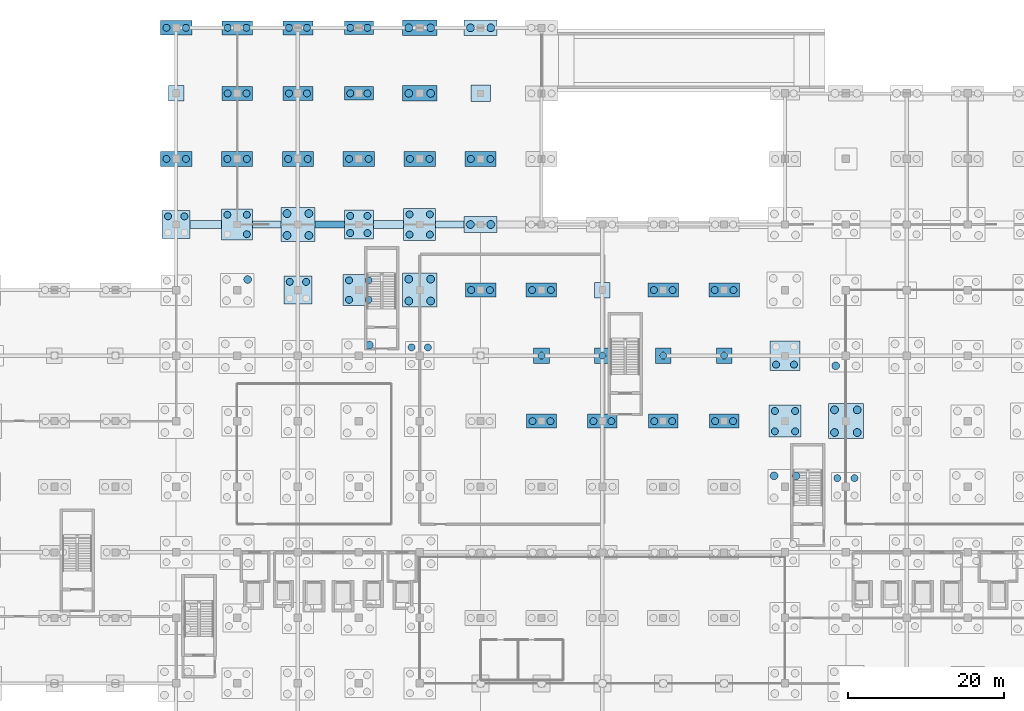
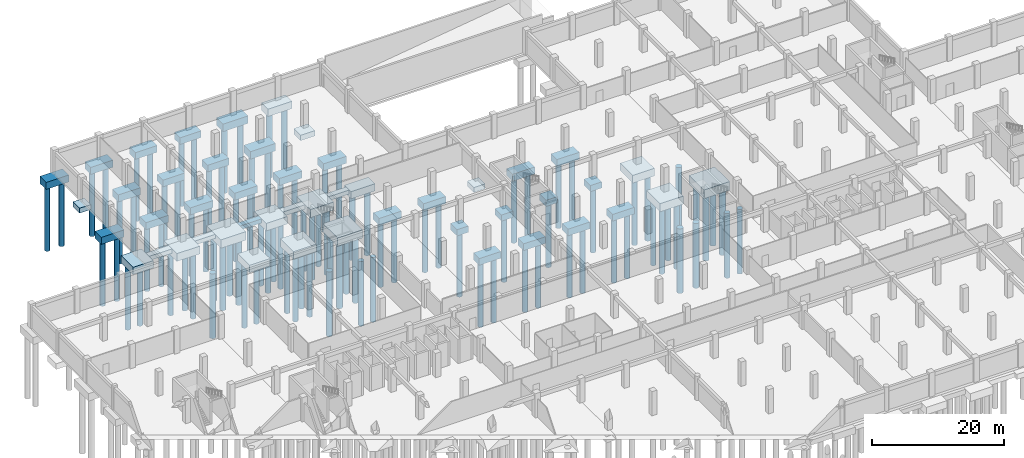
# One storey, part 5 of 30: 100 piles, 48 footings.
"""IFC4 building model written with IfcOpenShell, lengths in metres."""

from ifc_helpers import new_model, si_unit, direction, frame, origin, origin_2d, place, context, subcontext, project, spatial, rectangle, circle, extrude, material, layer, layer_set, material_profile, profile_set, type_object, element, save


model = new_model("IFC4")

# Units and contexts
model_context = context("Model", 3, precision=1e-05, world=origin(), true_north=direction((0.0, 1.0)))
body_context = subcontext(model_context, "Body", "Model", "MODEL_VIEW")
ifc_project = project(units=[si_unit("LENGTHUNIT", "METRE"), si_unit("AREAUNIT", "SQUARE_METRE"), si_unit("VOLUMEUNIT", "CUBIC_METRE"), si_unit("PLANEANGLEUNIT", "RADIAN"), si_unit("MASSUNIT", "GRAM", prefix="KILO"), si_unit("THERMODYNAMICTEMPERATUREUNIT", "KELVIN"), si_unit("POWERUNIT", "WATT")], contexts=[model_context])

# Site, building, storey
site_placement = place(None, origin())
site = spatial("IfcSite", under=ifc_project, at=site_placement, CompositionType="ELEMENT")
building_placement = place(site_placement, origin())
building = spatial("IfcBuilding", under=site, at=building_placement, Name="Srebrne Nadtorze General Hospital", CompositionType="ELEMENT")
storey_placement = place(building_placement, frame((0.0, 0.0, -4.5)))
storey = spatial("IfcBuildingStorey", under=building, at=storey_placement, Name="B1", CompositionType="ELEMENT", Elevation=-4.5)

# Piles
ifc_material_1 = material(Name="Concrete C35/45", Category="concrete")
ifc_material_profile_1 = material_profile(ifc_material_1, circle(Radius=0.5, at=origin_2d()), Name="PILE-D1000")
ifc_profile_set_1 = profile_set([ifc_material_profile_1], Name="Concrete C35/45")
pile_type_1 = type_object("IfcPileType", Name="Bored concrete pile D1000", PredefinedType="BORED", material=ifc_profile_set_1)
for number, where, z_axis, x_axis, name in (
    (1, (32.550048828125, 85.35009765625, -2.14990234375), (0.0, 0.0, -1.0), (1.0, 0.0, 0.0), "Bored pile PL-B1-0129"),
    (2, (37.60009765625, 91.0, -2.14990234375), (0.0, 0.0, -1.0), (1.0, 0.0, 0.0), "Bored pile PL-B1-0185"),
    (3, (40.39990234375, 91.0, -2.14990234375), (0.0, 0.0, -1.0), (1.0, 0.0, 0.0), "Bored pile PL-B1-0186"),
    (4, (40.39990234375, 93.800048828125, -2.14990234375), (0.0, 0.0, -1.0), (1.0, 0.0, 0.0), "Bored pile PL-B1-0187"),
    (5, (37.60009765625, 93.800048828125, -2.14990234375), (0.0, 0.0, -1.0), (1.0, 0.0, 0.0), "Bored pile PL-B1-0188"),
    (6, (48.14990234375, 76.949951171875, -2.14990234375), (0.0, 0.0, -1.0), (1.0, 0.0, 0.0), "Bored pile PL-B1-0229"),
    (7, (53.199951171875, 82.60009765625, -2.14990234375), (0.0, 0.0, -1.0), (1.0, 0.0, 0.0), "Bored pile PL-B1-0285"),
    (8, (56.0, 82.60009765625, -2.14990234375), (0.0, 0.0, -1.0), (1.0, 0.0, 0.0), "Bored pile PL-B1-0286"),
    (9, (56.0, 85.39990234375, -2.14990234375), (0.0, 0.0, -1.0), (1.0, 0.0, 0.0), "Bored pile PL-B1-0287"),
    (10, (53.199951171875, 85.39990234375, -2.14990234375), (0.0, 0.0, -1.0), (1.0, 0.0, 0.0), "Bored pile PL-B1-0288"),
    (11, (53.199951171875, 109.199951171875, -2.0), (0.0, 0.0, -1.0), (1.0, 0.0, 0.0), "Bored pile PL-B1-0295"),
    (12, (56.0, 109.199951171875, -2.0), (0.0, 0.0, -1.0), (1.0, 0.0, 0.0), "Bored pile PL-B1-0296"),
    (13, (53.199951171875, 117.60009765625, -2.0), (0.0, 0.0, -1.0), (1.0, 0.0, 0.0), "Bored pile PL-B1-0297"),
    (14, (56.0, 117.60009765625, -2.0), (0.0, 0.0, -1.0), (1.0, 0.0, 0.0), "Bored pile PL-B1-0298"),
    (15, (61.10009765625, 92.39990234375, -1.949951171875), (0.0, 0.0, -1.0), (1.0, 0.0, 0.0), "Bored pile PL-B1-0318"),
    (16, (63.699951171875, 92.39990234375, -1.949951171875), (0.0, 0.0, -1.0), (1.0, 0.0, 0.0), "Bored pile PL-B1-0319"),
    (17, (61.10009765625, 117.60009765625, -1.949951171875), (0.0, 0.0, -1.0), (1.0, 0.0, 0.0), "Bored pile PL-B1-0322"),
    (18, (63.699951171875, 117.60009765625, -1.949951171875), (0.0, 0.0, -1.0), (1.0, 0.0, 0.0), "Bored pile PL-B1-0323"),
    (19, (102.800048828125, 60.199951171875, -2.14990234375), (0.0, 0.0, -1.0), (1.0, 0.0, 0.0), "Bored pile PL-B1-0442"),
    (20, (100.0, 60.199951171875, -2.14990234375), (0.0, 0.0, -1.0), (1.0, 0.0, 0.0), "Bored pile PL-B1-0443"),
    (21, (107.75, 65.75, -2.199951171875), (0.0, 0.0, -1.0), (1.0, 0.0, 0.0), "Bored pile PL-B1-0496"),
    (22, (110.64990234375, 65.75, -2.199951171875), (0.0, 0.0, -1.0), (1.0, 0.0, 0.0), "Bored pile PL-B1-0497"),
    (23, (110.64990234375, 68.64990234375, -2.199951171875), (0.0, 0.0, -1.0), (1.0, 0.0, 0.0), "Bored pile PL-B1-0498"),
    (24, (107.75, 68.64990234375, -2.199951171875), (0.0, 0.0, -1.0), (1.0, 0.0, 0.0), "Bored pile PL-B1-0499"),
    (25, (107.89990234375, 74.300048828125, -2.10009765625), (0.0, 0.0, -1.0), (1.0, 0.0, 0.0), "Bored pile PL-B1-0500"),
):
    element("IfcPile", number, at=place(storey_placement, frame(where, z_axis=z_axis, x_axis=x_axis)), inside=storey, type_object=pile_type_1, Name=name, PredefinedType="BORED", context=body_context, shape_type="SweptSolid", body=[
        extrude(circle(Radius=0.5, at=origin_2d()), origin(), (0.0, 0.0, 1.0), 12.0),
    ])
ifc_material_2 = material(Name="Concrete C35/45", Category="concrete")
ifc_material_profile_2 = material_profile(ifc_material_2, circle(Radius=0.449951171875, at=origin_2d()), Name="PILE-D900")
ifc_profile_set_2 = profile_set([ifc_material_profile_2], Name="Concrete C35/45")
pile_type_2 = type_object("IfcPileType", Name="Bored concrete pile D900", PredefinedType="BORED", material=ifc_profile_set_2)
for number, where, z_axis, x_axis, name in (
    (26, (24.449951171875, 93.449951171875, -1.949951171875), (0.0, 0.0, -1.0), (1.0, 0.0, 0.0), "Bored pile PL-B1-0081"),
    (27, (22.35009765625, 93.449951171875, -1.949951171875), (0.0, 0.0, -1.0), (1.0, 0.0, 0.0), "Bored pile PL-B1-0082"),
    (28, (22.14990234375, 100.800048828125, -1.89990234375), (0.0, 0.0, -1.0), (1.0, 0.0, 0.0), "Bored pile PL-B1-0083"),
    (29, (24.64990234375, 100.800048828125, -1.89990234375), (0.0, 0.0, -1.0), (1.0, 0.0, 0.0), "Bored pile PL-B1-0084"),
    (30, (22.14990234375, 117.60009765625, -1.89990234375), (0.0, 0.0, -1.0), (1.0, 0.0, 0.0), "Bored pile PL-B1-0085"),
    (31, (24.64990234375, 117.60009765625, -1.89990234375), (0.0, 0.0, -1.0), (1.0, 0.0, 0.0), "Bored pile PL-B1-0086"),
    (32, (32.449951171875, 91.14990234375, -2.050048828125), (0.0, 0.0, -1.0), (1.0, 0.0, 0.0), "Bored pile PL-B1-0132"),
    (33, (32.449951171875, 93.64990234375, -2.050048828125), (0.0, 0.0, -1.0), (1.0, 0.0, 0.0), "Bored pile PL-B1-0133"),
    (34, (29.949951171875, 93.64990234375, -2.050048828125), (0.0, 0.0, -1.0), (1.0, 0.0, 0.0), "Bored pile PL-B1-0134"),
    (35, (29.949951171875, 100.800048828125, -1.89990234375), (0.0, 0.0, -1.0), (1.0, 0.0, 0.0), "Bored pile PL-B1-0135"),
    (36, (32.449951171875, 100.800048828125, -1.89990234375), (0.0, 0.0, -1.0), (1.0, 0.0, 0.0), "Bored pile PL-B1-0136"),
    (37, (30.0, 109.199951171875, -1.89990234375), (0.0, 0.0, -1.0), (1.0, 0.0, 0.0), "Bored pile PL-B1-0137"),
    (38, (32.39990234375, 109.199951171875, -1.89990234375), (0.0, 0.0, -1.0), (1.0, 0.0, 0.0), "Bored pile PL-B1-0138"),
    (39, (30.0, 117.60009765625, -1.89990234375), (0.0, 0.0, -1.0), (1.0, 0.0, 0.0), "Bored pile PL-B1-0139"),
    (40, (32.39990234375, 117.60009765625, -1.89990234375), (0.0, 0.0, -1.0), (1.0, 0.0, 0.0), "Bored pile PL-B1-0140"),
    (41, (40.050048828125, 85.050048828125, -1.949951171875), (0.0, 0.0, -1.0), (1.0, 0.0, 0.0), "Bored pile PL-B1-0183"),
    (42, (37.949951171875, 85.050048828125, -1.949951171875), (0.0, 0.0, -1.0), (1.0, 0.0, 0.0), "Bored pile PL-B1-0184"),
    (43, (37.75, 100.800048828125, -1.89990234375), (0.0, 0.0, -1.0), (1.0, 0.0, 0.0), "Bored pile PL-B1-0189"),
    (44, (40.25, 100.800048828125, -1.89990234375), (0.0, 0.0, -1.0), (1.0, 0.0, 0.0), "Bored pile PL-B1-0190"),
    (45, (37.85009765625, 109.199951171875, -1.85009765625), (0.0, 0.0, -1.0), (1.0, 0.0, 0.0), "Bored pile PL-B1-0191"),
    (46, (40.14990234375, 109.199951171875, -1.85009765625), (0.0, 0.0, -1.0), (1.0, 0.0, 0.0), "Bored pile PL-B1-0192"),
    (47, (37.85009765625, 117.60009765625, -1.85009765625), (0.0, 0.0, -1.0), (1.0, 0.0, 0.0), "Bored pile PL-B1-0193"),
    (48, (40.14990234375, 117.60009765625, -1.85009765625), (0.0, 0.0, -1.0), (1.0, 0.0, 0.0), "Bored pile PL-B1-0194"),
    (49, (45.550048828125, 82.75, -2.050048828125), (0.0, 0.0, -1.0), (1.0, 0.0, 0.0), "Bored pile PL-B1-0231"),
    (50, (48.050048828125, 82.75, -2.050048828125), (0.0, 0.0, -1.0), (1.0, 0.0, 0.0), "Bored pile PL-B1-0232"),
    (51, (48.050048828125, 85.25, -2.050048828125), (0.0, 0.0, -1.0), (1.0, 0.0, 0.0), "Bored pile PL-B1-0233"),
    (52, (45.550048828125, 85.25, -2.050048828125), (0.0, 0.0, -1.0), (1.0, 0.0, 0.0), "Bored pile PL-B1-0234"),
    (53, (45.699951171875, 91.300048828125, -2.0), (0.0, 0.0, -1.0), (1.0, 0.0, 0.0), "Bored pile PL-B1-0235"),
    (54, (47.89990234375, 91.300048828125, -2.0), (0.0, 0.0, -1.0), (1.0, 0.0, 0.0), "Bored pile PL-B1-0236"),
    (55, (47.89990234375, 93.5, -2.0), (0.0, 0.0, -1.0), (1.0, 0.0, 0.0), "Bored pile PL-B1-0237"),
    (56, (45.699951171875, 93.5, -2.0), (0.0, 0.0, -1.0), (1.0, 0.0, 0.0), "Bored pile PL-B1-0238"),
    (57, (45.550048828125, 100.800048828125, -1.89990234375), (0.0, 0.0, -1.0), (1.0, 0.0, 0.0), "Bored pile PL-B1-0239"),
    (58, (48.050048828125, 100.800048828125, -1.89990234375), (0.0, 0.0, -1.0), (1.0, 0.0, 0.0), "Bored pile PL-B1-0240"),
    (59, (45.699951171875, 109.199951171875, -1.85009765625), (0.0, 0.0, -1.0), (1.0, 0.0, 0.0), "Bored pile PL-B1-0241"),
    (60, (47.89990234375, 109.199951171875, -1.85009765625), (0.0, 0.0, -1.0), (1.0, 0.0, 0.0), "Bored pile PL-B1-0242"),
    (61, (45.699951171875, 117.60009765625, -1.85009765625), (0.0, 0.0, -1.0), (1.0, 0.0, 0.0), "Bored pile PL-B1-0243"),
    (62, (47.89990234375, 117.60009765625, -1.85009765625), (0.0, 0.0, -1.0), (1.0, 0.0, 0.0), "Bored pile PL-B1-0244"),
    (63, (55.64990234375, 76.64990234375, -1.949951171875), (0.0, 0.0, -1.0), (1.0, 0.0, 0.0), "Bored pile PL-B1-0283"),
    (64, (53.550048828125, 76.64990234375, -1.949951171875), (0.0, 0.0, -1.0), (1.0, 0.0, 0.0), "Bored pile PL-B1-0284"),
    (65, (53.300048828125, 91.10009765625, -2.10009765625), (0.0, 0.0, -1.0), (1.0, 0.0, 0.0), "Bored pile PL-B1-0289"),
    (66, (55.89990234375, 91.10009765625, -2.10009765625), (0.0, 0.0, -1.0), (1.0, 0.0, 0.0), "Bored pile PL-B1-0290"),
    (67, (55.89990234375, 93.699951171875, -2.10009765625), (0.0, 0.0, -1.0), (1.0, 0.0, 0.0), "Bored pile PL-B1-0291"),
    (68, (53.300048828125, 93.699951171875, -2.10009765625), (0.0, 0.0, -1.0), (1.0, 0.0, 0.0), "Bored pile PL-B1-0292"),
    (69, (53.35009765625, 100.800048828125, -1.89990234375), (0.0, 0.0, -1.0), (1.0, 0.0, 0.0), "Bored pile PL-B1-0293"),
    (70, (55.85009765625, 100.800048828125, -1.89990234375), (0.0, 0.0, -1.0), (1.0, 0.0, 0.0), "Bored pile PL-B1-0294"),
    (71, (61.199951171875, 84.0, -1.89990234375), (0.0, 0.0, -1.0), (1.0, 0.0, 0.0), "Bored pile PL-B1-0316"),
    (72, (63.60009765625, 84.0, -1.89990234375), (0.0, 0.0, -1.0), (1.0, 0.0, 0.0), "Bored pile PL-B1-0317"),
    (73, (61.14990234375, 100.800048828125, -1.89990234375), (0.0, 0.0, -1.0), (1.0, 0.0, 0.0), "Bored pile PL-B1-0320"),
    (74, (63.64990234375, 100.800048828125, -1.89990234375), (0.0, 0.0, -1.0), (1.0, 0.0, 0.0), "Bored pile PL-B1-0321"),
    (75, (69.050048828125, 67.199951171875, -1.85009765625), (0.0, 0.0, -1.0), (1.0, 0.0, 0.0), "Bored pile PL-B1-0338"),
    (76, (71.35009765625, 67.199951171875, -1.85009765625), (0.0, 0.0, -1.0), (1.0, 0.0, 0.0), "Bored pile PL-B1-0339"),
    (77, (70.199951171875, 75.60009765625, -1.75), (0.0, 0.0, -1.0), (1.0, 0.0, 0.0), "Bored pile PL-B1-0340"),
    (78, (69.0, 84.0, -1.89990234375), (0.0, 0.0, -1.0), (1.0, 0.0, 0.0), "Bored pile PL-B1-0341"),
    (79, (71.39990234375, 84.0, -1.89990234375), (0.0, 0.0, -1.0), (1.0, 0.0, 0.0), "Bored pile PL-B1-0342"),
    (80, (76.85009765625, 67.199951171875, -1.85009765625), (0.0, 0.0, -1.0), (1.0, 0.0, 0.0), "Bored pile PL-B1-0365"),
    (81, (79.14990234375, 67.199951171875, -1.85009765625), (0.0, 0.0, -1.0), (1.0, 0.0, 0.0), "Bored pile PL-B1-0366"),
    (82, (78.0, 75.60009765625, -1.75), (0.0, 0.0, -1.0), (1.0, 0.0, 0.0), "Bored pile PL-B1-0367"),
    (83, (84.64990234375, 67.199951171875, -1.85009765625), (0.0, 0.0, -1.0), (1.0, 0.0, 0.0), "Bored pile PL-B1-0384"),
    (84, (86.949951171875, 67.199951171875, -1.85009765625), (0.0, 0.0, -1.0), (1.0, 0.0, 0.0), "Bored pile PL-B1-0385"),
    (85, (85.800048828125, 75.60009765625, -1.75), (0.0, 0.0, -1.0), (1.0, 0.0, 0.0), "Bored pile PL-B1-0386"),
    (86, (84.60009765625, 84.0, -1.89990234375), (0.0, 0.0, -1.0), (1.0, 0.0, 0.0), "Bored pile PL-B1-0387"),
    (87, (87.0, 84.0, -1.89990234375), (0.0, 0.0, -1.0), (1.0, 0.0, 0.0), "Bored pile PL-B1-0388"),
    (88, (92.449951171875, 67.199951171875, -1.85009765625), (0.0, 0.0, -1.0), (1.0, 0.0, 0.0), "Bored pile PL-B1-0405"),
    (89, (94.75, 67.199951171875, -1.85009765625), (0.0, 0.0, -1.0), (1.0, 0.0, 0.0), "Bored pile PL-B1-0406"),
    (90, (93.60009765625, 75.60009765625, -1.75), (0.0, 0.0, -1.0), (1.0, 0.0, 0.0), "Bored pile PL-B1-0407"),
    (91, (92.39990234375, 84.0, -1.89990234375), (0.0, 0.0, -1.0), (1.0, 0.0, 0.0), "Bored pile PL-B1-0408"),
    (92, (94.800048828125, 84.0, -1.89990234375), (0.0, 0.0, -1.0), (1.0, 0.0, 0.0), "Bored pile PL-B1-0409"),
    (93, (100.10009765625, 65.89990234375, -2.10009765625), (0.0, 0.0, -1.0), (1.0, 0.0, 0.0), "Bored pile PL-B1-0444"),
    (94, (102.699951171875, 65.89990234375, -2.10009765625), (0.0, 0.0, -1.0), (1.0, 0.0, 0.0), "Bored pile PL-B1-0445"),
    (95, (102.699951171875, 68.5, -2.10009765625), (0.0, 0.0, -1.0), (1.0, 0.0, 0.0), "Bored pile PL-B1-0446"),
    (96, (100.10009765625, 68.5, -2.10009765625), (0.0, 0.0, -1.0), (1.0, 0.0, 0.0), "Bored pile PL-B1-0447"),
    (97, (100.25, 74.449951171875, -2.0), (0.0, 0.0, -1.0), (1.0, 0.0, 0.0), "Bored pile PL-B1-0448"),
    (98, (102.550048828125, 74.449951171875, -2.0), (0.0, 0.0, -1.0), (1.0, 0.0, 0.0), "Bored pile PL-B1-0449"),
    (99, (110.300048828125, 59.89990234375, -2.0), (0.0, 0.0, -1.0), (1.0, 0.0, 0.0), "Bored pile PL-B1-0494"),
    (100, (108.10009765625, 59.89990234375, -2.0), (0.0, 0.0, -1.0), (1.0, 0.0, 0.0), "Bored pile PL-B1-0495"),
):
    element("IfcPile", number, at=place(storey_placement, frame(where, z_axis=z_axis, x_axis=x_axis)), inside=storey, type_object=pile_type_2, Name=name, PredefinedType="BORED", context=body_context, shape_type="SweptSolid", body=[
        extrude(circle(Radius=0.449951171875, at=origin_2d()), origin(), (0.0, 0.0, 1.0), 12.0),
    ])

# Footings
ifc_material_3 = material(Name="Concrete C35/45", Category="concrete")
ifc_layer_1 = layer(ifc_material_3, 1.14990234375)
ifc_layer_set_1 = layer_set([ifc_layer_1], Name="Concrete C35/45")
footing_type_1 = type_object("IfcFootingType", Name="Bored pile cap 2000x2000x1150", PredefinedType="PILE_CAP", material=ifc_layer_set_1)
for number, where, z_axis, x_axis, name in (
    (101, (70.199951171875, 75.60009765625, -1.75), (0.0, 0.0, 1.0), (1.0, 0.0, 0.0), "Pile cap FT-B1-10-K"),
    (102, (78.0, 75.60009765625, -1.75), (0.0, 0.0, 1.0), (1.0, 0.0, 0.0), "Pile cap FT-B1-11-K"),
    (103, (85.800048828125, 75.60009765625, -1.75), (0.0, 0.0, 1.0), (1.0, 0.0, 0.0), "Pile cap FT-B1-12-K"),
    (104, (93.60009765625, 75.60009765625, -1.75), (0.0, 0.0, 1.0), (1.0, 0.0, 0.0), "Pile cap FT-B1-13-K"),
):
    element("IfcFooting", number, at=place(storey_placement, frame(where, z_axis=z_axis, x_axis=x_axis)), inside=storey, type_object=footing_type_1, Name=name, PredefinedType="PILE_CAP", context=body_context, shape_type="SweptSolid", body=[
        extrude(rectangle(XDim=2.0, YDim=2.0, at=origin_2d()), origin(), (0.0, 0.0, 1.0), 1.14990234375),
    ])
ifc_material_4 = material(Name="Concrete C35/45", Category="concrete")
ifc_layer_2 = layer(ifc_material_4, 1.35009765625)
ifc_layer_set_2 = layer_set([ifc_layer_2], Name="Concrete C35/45")
footing_type_2 = type_object("IfcFootingType", Name="Bored pile cap 3600x3600x1350", PredefinedType="PILE_CAP", material=ifc_layer_set_2)
for number, where, z_axis, x_axis, name in (
    (105, (23.39990234375, 92.39990234375, -1.949951171875), (0.0, 0.0, 1.0), (1.0, 0.0, 0.0), "Pile cap FT-B1-4-M"),
    (106, (39.0, 84.0, -1.949951171875), (0.0, 0.0, 1.0), (1.0, 0.0, 0.0), "Pile cap FT-B1-6-L"),
):
    element("IfcFooting", number, at=place(storey_placement, frame(where, z_axis=z_axis, x_axis=x_axis)), inside=storey, type_object=footing_type_2, Name=name, PredefinedType="PILE_CAP", context=body_context, shape_type="SweptSolid", body=[
        extrude(rectangle(XDim=3.60009765625, YDim=3.60009765625, at=origin_2d()), origin(), (0.0, 0.0, 1.0), 1.35009765625),
    ])
ifc_material_5 = material(Name="Concrete C35/45", Category="concrete")
ifc_layer_3 = layer(ifc_material_5, 1.25)
ifc_layer_set_3 = layer_set([ifc_layer_3], Name="Concrete C35/45")
footing_type_3 = type_object("IfcFootingType", Name="Bored pile cap 3700x1750x1250", PredefinedType="PILE_CAP", material=ifc_layer_set_3)
for number, where, z_axis, x_axis, name in (
    (107, (46.800048828125, 109.199951171875, -1.85009765625), (0.0, 0.0, 1.0), (1.0, 0.0, 0.0), "Pile cap FT-B1-7-P"),
    (108, (46.800048828125, 117.60009765625, -1.85009765625), (0.0, 0.0, 1.0), (1.0, 0.0, 0.0), "Pile cap FT-B1-7-Q"),
):
    element("IfcFooting", number, at=place(storey_placement, frame(where, z_axis=z_axis, x_axis=x_axis)), inside=storey, type_object=footing_type_3, Name=name, PredefinedType="PILE_CAP", context=body_context, shape_type="SweptSolid", body=[
        extrude(rectangle(XDim=3.699951171875, YDim=1.75, at=origin_2d()), origin(), (0.0, 0.0, 1.0), 1.25),
    ])
ifc_material_6 = material(Name="Concrete C35/45", Category="concrete")
ifc_layer_4 = layer(ifc_material_6, 1.39990234375)
ifc_layer_set_4 = layer_set([ifc_layer_4], Name="Concrete C35/45")
footing_type_4 = type_object("IfcFootingType", Name="Bored pile cap 3700x3700x1400", PredefinedType="PILE_CAP", material=ifc_layer_set_4)
footing_1_placement = place(storey_placement, frame((46.800048828125, 92.39990234375, -2.0), z_axis=(0.0, 0.0, 1.0), x_axis=(1.0, 0.0, 0.0)))
element("IfcFooting", 109, at=footing_1_placement, inside=storey, type_object=footing_type_4, Name="Pile cap FT-B1-7-M", PredefinedType="PILE_CAP", context=body_context, shape_type="SweptSolid", body=[
    extrude(rectangle(XDim=3.699951171875, YDim=3.699951171875, at=origin_2d()), origin(), (0.0, 0.0, 1.0), 1.39990234375),
])
ifc_material_7 = material(Name="Concrete C35/45", Category="concrete")
ifc_layer_5 = layer(ifc_material_7, 1.25)
ifc_layer_set_5 = layer_set([ifc_layer_5], Name="Concrete C35/45")
footing_type_5 = type_object("IfcFootingType", Name="Bored pile cap 3800x1800x1250", PredefinedType="PILE_CAP", material=ifc_layer_set_5)
for number, where, z_axis, x_axis, name in (
    (110, (39.0, 109.199951171875, -1.85009765625), (0.0, 0.0, 1.0), (1.0, 0.0, 0.0), "Pile cap FT-B1-6-P"),
    (111, (39.0, 117.60009765625, -1.85009765625), (0.0, 0.0, 1.0), (1.0, 0.0, 0.0), "Pile cap FT-B1-6-Q"),
    (112, (70.199951171875, 67.199951171875, -1.85009765625), (0.0, 0.0, 1.0), (1.0, 0.0, 0.0), "Pile cap FT-B1-10-J"),
    (113, (78.0, 67.199951171875, -1.85009765625), (0.0, 0.0, 1.0), (1.0, 0.0, 0.0), "Pile cap FT-B1-11-J"),
    (114, (85.800048828125, 67.199951171875, -1.85009765625), (0.0, 0.0, 1.0), (1.0, 0.0, 0.0), "Pile cap FT-B1-12-J"),
    (115, (93.60009765625, 67.199951171875, -1.85009765625), (0.0, 0.0, 1.0), (1.0, 0.0, 0.0), "Pile cap FT-B1-13-J"),
):
    element("IfcFooting", number, at=place(storey_placement, frame(where, z_axis=z_axis, x_axis=x_axis)), inside=storey, type_object=footing_type_5, Name=name, PredefinedType="PILE_CAP", context=body_context, shape_type="SweptSolid", body=[
        extrude(rectangle(XDim=3.800048828125, YDim=1.800048828125, at=origin_2d()), origin(), (0.0, 0.0, 1.0), 1.25),
    ])
ifc_material_8 = material(Name="Concrete C35/45", Category="concrete")
ifc_layer_6 = layer(ifc_material_8, 1.39990234375)
ifc_layer_set_6 = layer_set([ifc_layer_6], Name="Concrete C35/45")
footing_type_6 = type_object("IfcFootingType", Name="Bored pile cap 3800x3800x1400", PredefinedType="PILE_CAP", material=ifc_layer_set_6)
footing_2_placement = place(storey_placement, frame((101.39990234375, 75.60009765625, -2.0), z_axis=(0.0, 0.0, 1.0), x_axis=(1.0, 0.0, 0.0)))
element("IfcFooting", 116, at=footing_2_placement, inside=storey, type_object=footing_type_6, Name="Pile cap FT-B1-14-K", PredefinedType="PILE_CAP", context=body_context, shape_type="SweptSolid", body=[
    extrude(rectangle(XDim=3.800048828125, YDim=3.800048828125, at=origin_2d()), origin(), (0.0, 0.0, 1.0), 1.39990234375),
])
ifc_material_9 = material(Name="Concrete C35/45", Category="concrete")
ifc_layer_7 = layer(ifc_material_9, 1.300048828125)
ifc_layer_set_7 = layer_set([ifc_layer_7], Name="Concrete C35/45")
footing_type_7 = type_object("IfcFootingType", Name="Bored pile cap 3900x1800x1300", PredefinedType="PILE_CAP", material=ifc_layer_set_7)
for number, where, z_axis, x_axis, name in (
    (117, (31.199951171875, 109.199951171875, -1.89990234375), (0.0, 0.0, 1.0), (1.0, 0.0, 0.0), "Pile cap FT-B1-5-P"),
    (118, (31.199951171875, 117.60009765625, -1.89990234375), (0.0, 0.0, 1.0), (1.0, 0.0, 0.0), "Pile cap FT-B1-5-Q"),
    (119, (62.39990234375, 84.0, -1.89990234375), (0.0, 0.0, 1.0), (1.0, 0.0, 0.0), "Pile cap FT-B1-9-L"),
    (120, (70.199951171875, 84.0, -1.89990234375), (0.0, 0.0, 1.0), (1.0, 0.0, 0.0), "Pile cap FT-B1-10-L"),
    (121, (85.800048828125, 84.0, -1.89990234375), (0.0, 0.0, 1.0), (1.0, 0.0, 0.0), "Pile cap FT-B1-12-L"),
    (122, (93.60009765625, 84.0, -1.89990234375), (0.0, 0.0, 1.0), (1.0, 0.0, 0.0), "Pile cap FT-B1-13-L"),
):
    element("IfcFooting", number, at=place(storey_placement, frame(where, z_axis=z_axis, x_axis=x_axis)), inside=storey, type_object=footing_type_7, Name=name, PredefinedType="PILE_CAP", context=body_context, shape_type="SweptSolid", body=[
        extrude(rectangle(XDim=3.89990234375, YDim=1.800048828125, at=origin_2d()), origin(), (0.0, 0.0, 1.0), 1.300048828125),
    ])
ifc_material_10 = material(Name="Concrete C35/45", Category="concrete")
ifc_layer_8 = layer(ifc_material_10, 1.300048828125)
ifc_layer_set_8 = layer_set([ifc_layer_8], Name="Concrete C35/45")
footing_type_8 = type_object("IfcFootingType", Name="Bored pile cap 4000x1900x1300", PredefinedType="PILE_CAP", material=ifc_layer_set_8)
for number, where, z_axis, x_axis, name in (
    (123, (23.39990234375, 100.800048828125, -1.89990234375), (0.0, 0.0, 1.0), (1.0, 0.0, 0.0), "Pile cap FT-B1-4-N"),
    (124, (23.39990234375, 117.60009765625, -1.89990234375), (0.0, 0.0, 1.0), (1.0, 0.0, 0.0), "Pile cap FT-B1-4-Q"),
    (125, (31.199951171875, 100.800048828125, -1.89990234375), (0.0, 0.0, 1.0), (1.0, 0.0, 0.0), "Pile cap FT-B1-5-N"),
    (126, (39.0, 100.800048828125, -1.89990234375), (0.0, 0.0, 1.0), (1.0, 0.0, 0.0), "Pile cap FT-B1-6-N"),
    (127, (46.800048828125, 100.800048828125, -1.89990234375), (0.0, 0.0, 1.0), (1.0, 0.0, 0.0), "Pile cap FT-B1-7-N"),
    (128, (54.60009765625, 100.800048828125, -1.89990234375), (0.0, 0.0, 1.0), (1.0, 0.0, 0.0), "Pile cap FT-B1-8-N"),
    (129, (62.39990234375, 100.800048828125, -1.89990234375), (0.0, 0.0, 1.0), (1.0, 0.0, 0.0), "Pile cap FT-B1-9-N"),
):
    element("IfcFooting", number, at=place(storey_placement, frame(where, z_axis=z_axis, x_axis=x_axis)), inside=storey, type_object=footing_type_8, Name=name, PredefinedType="PILE_CAP", context=body_context, shape_type="SweptSolid", body=[
        extrude(rectangle(XDim=4.0, YDim=1.89990234375, at=origin_2d()), origin(), (0.0, 0.0, 1.0), 1.300048828125),
    ])
ifc_material_11 = material(Name="Concrete C35/45", Category="concrete")
ifc_layer_9 = layer(ifc_material_11, 1.449951171875)
ifc_layer_set_9 = layer_set([ifc_layer_9], Name="Concrete C35/45")
footing_type_9 = type_object("IfcFootingType", Name="Bored pile cap 4000x4000x1450", PredefinedType="PILE_CAP", material=ifc_layer_set_9)
for number, where, z_axis, x_axis, name in (
    (130, (31.199951171875, 92.39990234375, -2.0498046875), (0.0, 0.0, 1.0), (1.0, 0.0, 0.0), "Pile cap FT-B1-5-M"),
    (131, (46.800048828125, 84.0, -2.0498046875), (0.0, 0.0, 1.0), (1.0, 0.0, 0.0), "Pile cap FT-B1-7-L"),
):
    element("IfcFooting", number, at=place(storey_placement, frame(where, z_axis=z_axis, x_axis=x_axis)), inside=storey, type_object=footing_type_9, Name=name, PredefinedType="PILE_CAP", context=body_context, shape_type="SweptSolid", body=[
        extrude(rectangle(XDim=4.0, YDim=4.0, at=origin_2d()), origin(), (0.0, 0.0, 1.0), 1.449951171875),
    ])
ifc_material_12 = material(Name="Concrete C35/45", Category="concrete")
ifc_layer_10 = layer(ifc_material_12, 1.5)
ifc_layer_set_10 = layer_set([ifc_layer_10], Name="Concrete C35/45")
footing_type_10 = type_object("IfcFootingType", Name="Bored pile cap 4100x4100x1500", PredefinedType="PILE_CAP", material=ifc_layer_set_10)
for number, where, z_axis, x_axis, name in (
    (132, (54.60009765625, 92.39990234375, -2.10009765625), (0.0, 0.0, 1.0), (1.0, 0.0, 0.0), "Pile cap FT-B1-8-M"),
    (133, (101.39990234375, 67.199951171875, -2.10009765625), (0.0, 0.0, 1.0), (1.0, 0.0, 0.0), "Pile cap FT-B1-14-J"),
):
    element("IfcFooting", number, at=place(storey_placement, frame(where, z_axis=z_axis, x_axis=x_axis)), inside=storey, type_object=footing_type_10, Name=name, PredefinedType="PILE_CAP", context=body_context, shape_type="SweptSolid", body=[
        extrude(rectangle(XDim=4.10009765625, YDim=4.10009765625, at=origin_2d()), origin(), (0.0, 0.0, 1.0), 1.5),
    ])
ifc_material_13 = material(Name="Concrete C35/45", Category="concrete")
ifc_layer_11 = layer(ifc_material_13, 1.35009765625)
ifc_layer_set_11 = layer_set([ifc_layer_11], Name="Concrete C35/45")
footing_type_11 = type_object("IfcFootingType", Name="Bored pile cap 4200x2000x1350", PredefinedType="PILE_CAP", material=ifc_layer_set_11)
for number, where, z_axis, x_axis, name in (
    (134, (62.39990234375, 92.39990234375, -1.949951171875), (0.0, 0.0, 1.0), (1.0, 0.0, 0.0), "Pile cap FT-B1-9-M"),
    (135, (62.39990234375, 117.60009765625, -1.949951171875), (0.0, 0.0, 1.0), (1.0, 0.0, 0.0), "Pile cap FT-B1-9-Q"),
):
    element("IfcFooting", number, at=place(storey_placement, frame(where, z_axis=z_axis, x_axis=x_axis)), inside=storey, type_object=footing_type_11, Name=name, PredefinedType="PILE_CAP", context=body_context, shape_type="SweptSolid", body=[
        extrude(rectangle(XDim=4.199951171875, YDim=2.0, at=origin_2d()), origin(), (0.0, 0.0, 1.0), 1.35009765625),
    ])
ifc_material_14 = material(Name="Concrete C35/45", Category="concrete")
ifc_layer_12 = layer(ifc_material_14, 1.39990234375)
ifc_layer_set_12 = layer_set([ifc_layer_12], Name="Concrete C35/45")
footing_type_12 = type_object("IfcFootingType", Name="Bored pile cap 4400x2000x1400", PredefinedType="PILE_CAP", material=ifc_layer_set_12)
for number, where, z_axis, x_axis, name in (
    (136, (54.60009765625, 109.199951171875, -2.0), (0.0, 0.0, 1.0), (1.0, 0.0, 0.0), "Pile cap FT-B1-8-P"),
    (137, (54.60009765625, 117.60009765625, -2.0), (0.0, 0.0, 1.0), (1.0, 0.0, 0.0), "Pile cap FT-B1-8-Q"),
):
    element("IfcFooting", number, at=place(storey_placement, frame(where, z_axis=z_axis, x_axis=x_axis)), inside=storey, type_object=footing_type_12, Name=name, PredefinedType="PILE_CAP", context=body_context, shape_type="SweptSolid", body=[
        extrude(rectangle(XDim=4.39990234375, YDim=2.0, at=origin_2d()), origin(), (0.0, 0.0, 1.0), 1.39990234375),
    ])
ifc_material_15 = material(Name="Concrete C35/45", Category="concrete")
ifc_layer_13 = layer(ifc_material_15, 1.550048828125)
ifc_layer_set_13 = layer_set([ifc_layer_13], Name="Concrete C35/45")
footing_type_13 = type_object("IfcFootingType", Name="Bored pile cap 4400x4400x1550", PredefinedType="PILE_CAP", material=ifc_layer_set_13)
for number, where, z_axis, x_axis, name in (
    (138, (39.0, 92.39990234375, -2.14990234375), (0.0, 0.0, 1.0), (1.0, 0.0, 0.0), "Pile cap FT-B1-6-M"),
    (139, (54.60009765625, 84.0, -2.14990234375), (0.0, 0.0, 1.0), (1.0, 0.0, 0.0), "Pile cap FT-B1-8-L"),
):
    element("IfcFooting", number, at=place(storey_placement, frame(where, z_axis=z_axis, x_axis=x_axis)), inside=storey, type_object=footing_type_13, Name=name, PredefinedType="PILE_CAP", context=body_context, shape_type="SweptSolid", body=[
        extrude(rectangle(XDim=4.39990234375, YDim=4.39990234375, at=origin_2d()), origin(), (0.0, 0.0, 1.0), 1.550048828125),
    ])
ifc_material_16 = material(Name="Concrete C35/45", Category="concrete")
ifc_layer_14 = layer(ifc_material_16, 1.60009765625)
ifc_layer_set_14 = layer_set([ifc_layer_14], Name="Concrete C35/45")
footing_type_14 = type_object("IfcFootingType", Name="Bored pile cap 4500x4500x1600", PredefinedType="PILE_CAP", material=ifc_layer_set_14)
footing_3_placement = place(storey_placement, frame((109.199951171875, 67.199951171875, -2.199951171875), z_axis=(0.0, 0.0, 1.0), x_axis=(1.0, 0.0, 0.0)))
element("IfcFooting", 140, at=footing_3_placement, inside=storey, type_object=footing_type_14, Name="Pile cap FT-B1-15-J", PredefinedType="PILE_CAP", context=body_context, shape_type="SweptSolid", body=[
    extrude(rectangle(XDim=4.5, YDim=4.5, at=origin_2d()), origin(), (0.0, 0.0, 1.0), 1.60009765625),
])
ifc_material_17 = material(Name="Concrete C35/45", Category="concrete")
ifc_layer_15 = layer(ifc_material_17, 0.89990234375)
ifc_layer_set_15 = layer_set([ifc_layer_15], Name="Concrete C35/45")
footing_type_15 = type_object("IfcFootingType", Name="Isolated pad footing 2000x2000x900", PredefinedType="PAD_FOOTING", material=ifc_layer_set_15)
for number, where, z_axis, x_axis, name in (
    (141, (23.39990234375, 109.199951171875, -1.5), (0.0, 0.0, 1.0), (1.0, 0.0, 0.0), "Pad footing FT-B1-4-P"),
    (142, (78.0, 84.0, -1.5), (0.0, 0.0, 1.0), (1.0, 0.0, 0.0), "Pad footing FT-B1-11-L"),
):
    element("IfcFooting", number, at=place(storey_placement, frame(where, z_axis=z_axis, x_axis=x_axis)), inside=storey, type_object=footing_type_15, Name=name, PredefinedType="PAD_FOOTING", context=body_context, shape_type="SweptSolid", body=[
        extrude(rectangle(XDim=2.0, YDim=2.0, at=origin_2d()), origin(), (0.0, 0.0, 1.0), 0.89990234375),
    ])
ifc_material_18 = material(Name="Concrete C35/45", Category="concrete")
ifc_layer_16 = layer(ifc_material_18, 1.0)
ifc_layer_set_16 = layer_set([ifc_layer_16], Name="Concrete C35/45")
footing_type_16 = type_object("IfcFootingType", Name="Isolated pad footing 2500x2100x1000", PredefinedType="PAD_FOOTING", material=ifc_layer_set_16)
footing_4_placement = place(storey_placement, frame((62.39990234375, 109.199951171875, -1.60009765625), z_axis=(0.0, 0.0, 1.0), x_axis=(1.0, 0.0, 0.0)))
element("IfcFooting", 143, at=footing_4_placement, inside=storey, type_object=footing_type_16, Name="Pad footing FT-B1-9-P", PredefinedType="PAD_FOOTING", context=body_context, shape_type="SweptSolid", body=[
    extrude(rectangle(XDim=2.5, YDim=2.10009765625, at=origin_2d()), origin(), (0.0, 0.0, 1.0), 1.0),
])
ifc_material_19 = material(Name="Concrete C35/45", Category="concrete")
ifc_layer_17 = layer(ifc_material_19, 0.800048828125)
ifc_layer_set_17 = layer_set([ifc_layer_17], Name="Concrete C35/45")
footing_type_17 = type_object("IfcFootingType", Name="Wall strip footing 1050x800", PredefinedType="STRIP_FOOTING", material=ifc_layer_set_17)
footing_5_placement = place(storey_placement, frame((27.199951171875, 92.39990234375, -1.39990234375), z_axis=(0.0, 0.0, 1.0), x_axis=(1.0, 0.0, 0.0)))
element("IfcFooting", 144, at=footing_5_placement, inside=storey, type_object=footing_type_17, Name="Wall strip footing SF-B1-02", PredefinedType="STRIP_FOOTING", context=body_context, shape_type="SweptSolid", body=[
    extrude(rectangle(XDim=4.0, YDim=1.050048828125, at=origin_2d()), origin(), (0.0, 0.0, 1.0), 0.800048828125),
])
footing_6_placement = place(storey_placement, frame((50.60009765625, 92.39990234375, -1.39990234375), z_axis=(0.0, 0.0, 1.0), x_axis=(1.0, 0.0, 0.0)))
element("IfcFooting", 145, at=footing_6_placement, inside=storey, type_object=footing_type_17, Name="Wall strip footing SF-B1-08", PredefinedType="STRIP_FOOTING", context=body_context, shape_type="SweptSolid", body=[
    extrude(rectangle(XDim=3.89990234375, YDim=1.050048828125, at=origin_2d()), origin(), (0.0, 0.0, 1.0), 0.800048828125),
])
ifc_material_20 = material(Name="Concrete C35/45", Category="concrete")
ifc_layer_18 = layer(ifc_material_20, 0.75)
ifc_layer_set_18 = layer_set([ifc_layer_18], Name="Concrete C35/45")
footing_type_18 = type_object("IfcFootingType", Name="Wall strip footing 900x750", PredefinedType="STRIP_FOOTING", material=ifc_layer_set_18)
footing_7_placement = place(storey_placement, frame((43.074951171875, 92.39990234375, -1.35009765625), z_axis=(0.0, 0.0, 1.0), x_axis=(1.0, 0.0, 0.0)))
element("IfcFooting", 146, at=footing_7_placement, inside=storey, type_object=footing_type_18, Name="Wall strip footing SF-B1-06", PredefinedType="STRIP_FOOTING", context=body_context, shape_type="SweptSolid", body=[
    extrude(rectangle(XDim=3.75, YDim=0.89990234375, at=origin_2d()), origin(), (0.0, 0.0, 1.0), 0.75),
])
ifc_material_21 = material(Name="Concrete C35/45", Category="concrete")
ifc_layer_19 = layer(ifc_material_21, 0.75)
ifc_layer_set_19 = layer_set([ifc_layer_19], Name="Concrete C35/45")
footing_type_19 = type_object("IfcFootingType", Name="Wall strip footing 950x750", PredefinedType="STRIP_FOOTING", material=ifc_layer_set_19)
footing_8_placement = place(storey_placement, frame((35.0, 92.39990234375, -1.35009765625), z_axis=(0.0, 0.0, 1.0), x_axis=(1.0, 0.0, 0.0)))
element("IfcFooting", 147, at=footing_8_placement, inside=storey, type_object=footing_type_19, Name="Wall strip footing SF-B1-04", PredefinedType="STRIP_FOOTING", context=body_context, shape_type="SweptSolid", body=[
    extrude(rectangle(XDim=3.60009765625, YDim=0.949951171875, at=origin_2d()), origin(), (0.0, 0.0, 1.0), 0.75),
])
footing_9_placement = place(storey_placement, frame((58.47509765625, 92.39990234375, -1.35009765625), z_axis=(0.0, 0.0, 1.0), x_axis=(1.0, 0.0, 0.0)))
element("IfcFooting", 148, at=footing_9_placement, inside=storey, type_object=footing_type_19, Name="Wall strip footing SF-B1-10", PredefinedType="STRIP_FOOTING", context=body_context, shape_type="SweptSolid", body=[
    extrude(rectangle(XDim=3.64990234375, YDim=0.949951171875, at=origin_2d()), origin(), (0.0, 0.0, 1.0), 0.75),
])

save(model, "model.ifc")
